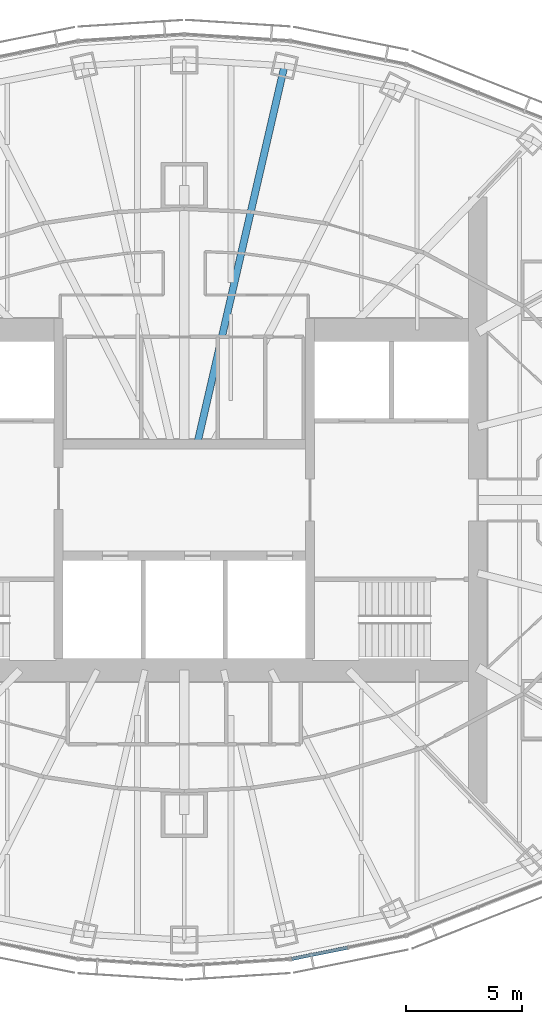
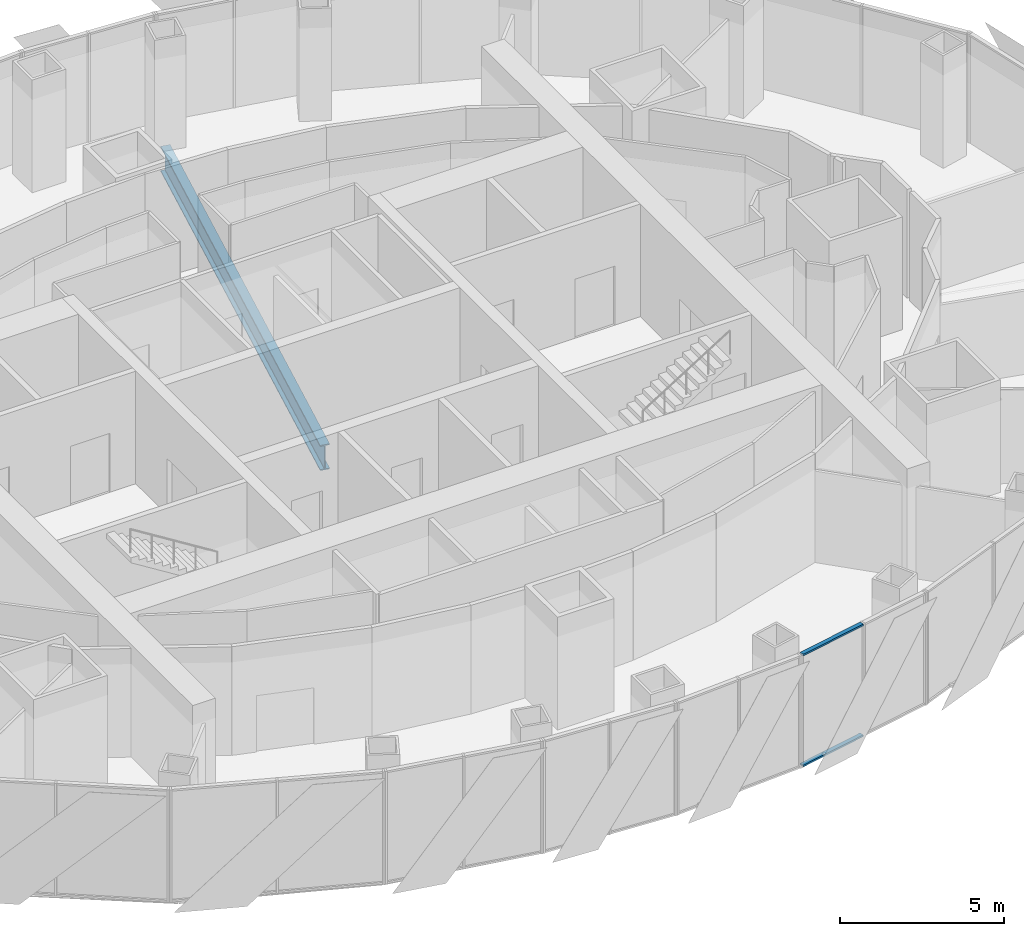
# One storey, part 5 of 17: 2 members, 1 beam, 1 element without a shape of its own.
"""IFC4 building model written with IfcOpenShell, lengths in metres."""

from ifc_helpers import new_model, si_unit, direction, frame, origin, origin_2d, place, context, subcontext, project, spatial, rectangle, i_section, extrude, material, material_profile, profile_set, type_object, element, aggregate, save


model = new_model("IFC4")

# Units and contexts
model_context = context("Model", 3, precision=1e-05, world=origin(), true_north=direction((0.0, 1.0)))
body_context = subcontext(model_context, "Body", "Model", "MODEL_VIEW")
ifc_project = project(units=[si_unit("LENGTHUNIT", "METRE"), si_unit("AREAUNIT", "SQUARE_METRE"), si_unit("VOLUMEUNIT", "CUBIC_METRE"), si_unit("PLANEANGLEUNIT", "RADIAN"), si_unit("MASSUNIT", "GRAM", prefix="KILO")], contexts=[model_context])

# Site, building, storey
site_placement = place(None, origin())
site = spatial("IfcSite", under=ifc_project, at=site_placement, CompositionType="ELEMENT")
building_placement = place(site_placement, origin())
building = spatial("IfcBuilding", under=site, at=building_placement, Name="Lantaw Convention Tower", CompositionType="ELEMENT")
storey_placement = place(building_placement, frame((0.0, 0.0, 207.39990234375)))
storey = spatial("IfcBuildingStorey", under=building, at=storey_placement, Name="L48", CompositionType="ELEMENT", Elevation=207.39990234375)

# Beam
ifc_material_1 = material(Name="Steel ASTM A992", Category="steel")
ifc_material_profile_1 = material_profile(ifc_material_1, i_section(OverallWidth=0.307373046875, OverallDepth=0.9423828125, WebThickness=0.022216796875, FlangeThickness=0.039794921875, FilletRadius=0.0126953125, at=origin_2d()), Name="W36X232")
ifc_profile_set_1 = profile_set([ifc_material_profile_1], Name="Steel ASTM A992")
beam_type = type_object("IfcBeamType", Name="Beam G W36X232", PredefinedType="BEAM", material=ifc_profile_set_1)
beam_placement = place(storey_placement, frame((0.55419921875, 2.39990234375, -0.62109375), z_axis=(0.224948287002, 0.974370703672, 0.0), x_axis=(-0.974370703672, 0.224948287002, 0.0)))
element("IfcBeam", 1, at=beam_placement, inside=storey, type_object=beam_type, Name="Floor girder on ray 6", PredefinedType="BEAM", context=body_context, shape_type="SweptSolid", body=[
    extrude(i_section(OverallWidth=0.307373046875, OverallDepth=0.9423828125, WebThickness=0.022216796875, FlangeThickness=0.039794921875, FilletRadius=0.0126953125, at=origin_2d()), origin(), (0.0, 0.0, 1.0), 16.66943359375),
])

# Curtain wall, members
ifc_material_2 = material(Name="Aluminium framed curtain wall", Category="aluminium")
curtain_wall_type = type_object("IfcCurtainWallType", Name="Office curtain wall high rise, pale aluminium", PredefinedType="USERDEFINED", material=ifc_material_2)
curtain_wall_placement = place(storey_placement, origin())
curtain_wall = element("IfcCurtainWall", 2, at=curtain_wall_placement, inside=storey, type_object=curtain_wall_type, Name="Office curtain wall high rise, pale aluminium L48", ObjectType="UNITISED CURTAIN WALL", PredefinedType="USERDEFINED")
ifc_material_3 = material(Name="Aluminium 6063-T6", Category="aluminium")
ifc_material_profile_2 = material_profile(ifc_material_3, rectangle(XDim=0.14990234375, YDim=0.06494140625, at=origin_2d()), Name="CW-O2 transom 65x150")
ifc_profile_set_2 = profile_set([ifc_material_profile_2], Name="Aluminium 6063-T6")
member_type = type_object("IfcMemberType", Name="CW-O2 transom 65x150", PredefinedType="USERDEFINED", material=ifc_profile_set_2)
member_1_placement = place(storey_placement, frame((4.614990234375, -19.700927734375, -0.117431640625), z_axis=(0.980380354178, 0.197115096178, 0.0), x_axis=(-0.197115096178, 0.980380354178, 0.0)))
member_1 = element("IfcMember", 3, at=member_1_placement, type_object=member_type, Name="CW-O2 transom 1.1", ObjectType="TRANSOM", PredefinedType="USERDEFINED", context=body_context, shape_type="SweptSolid", body=[
    extrude(rectangle(XDim=0.14990234375, YDim=0.06494140625, at=origin_2d()), origin(), (0.0, 0.0, 1.0), 2.443603515625),
])
member_2_placement = place(storey_placement, frame((4.614990234375, -19.700927734375, 4.017578125), z_axis=(0.980380354178, 0.197115096178, 0.0), x_axis=(-0.197115096178, 0.980380354178, 0.0)))
member_2 = element("IfcMember", 4, at=member_2_placement, type_object=member_type, Name="CW-O2 transom 1.2", ObjectType="TRANSOM", PredefinedType="USERDEFINED", context=body_context, shape_type="SweptSolid", body=[
    extrude(rectangle(XDim=0.14990234375, YDim=0.06494140625, at=origin_2d()), origin(), (0.0, 0.0, 1.0), 2.443603515625),
])
aggregate(curtain_wall, [member_1, member_2])

save(model, "model.ifc")
